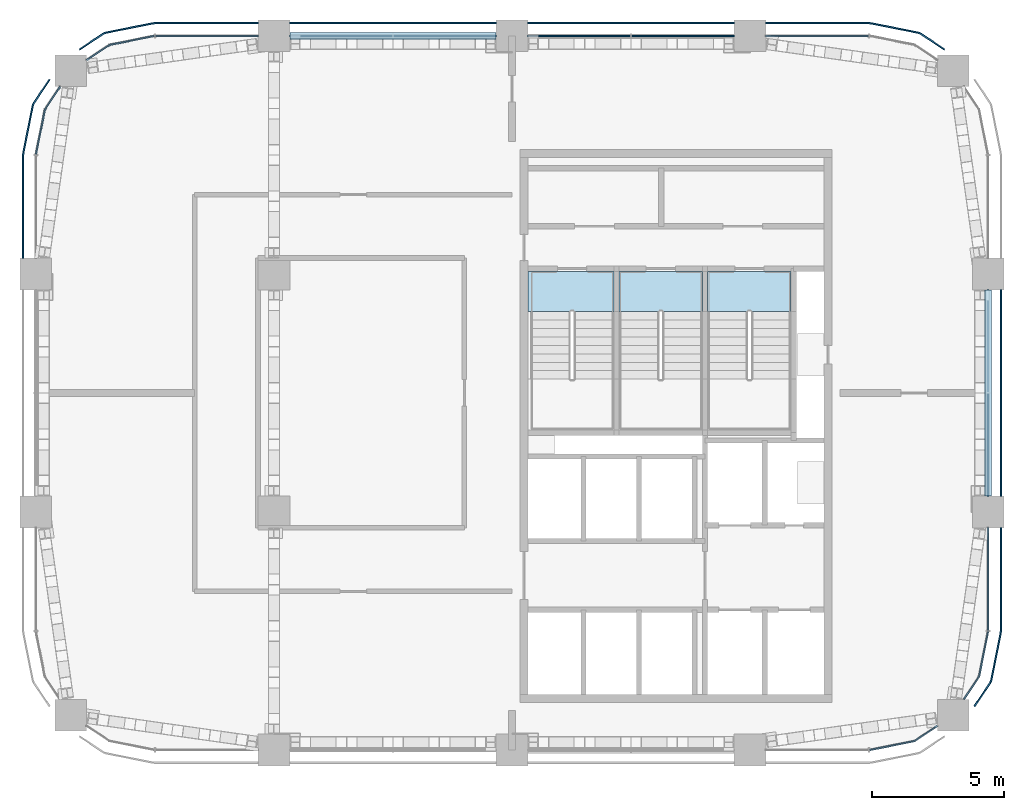
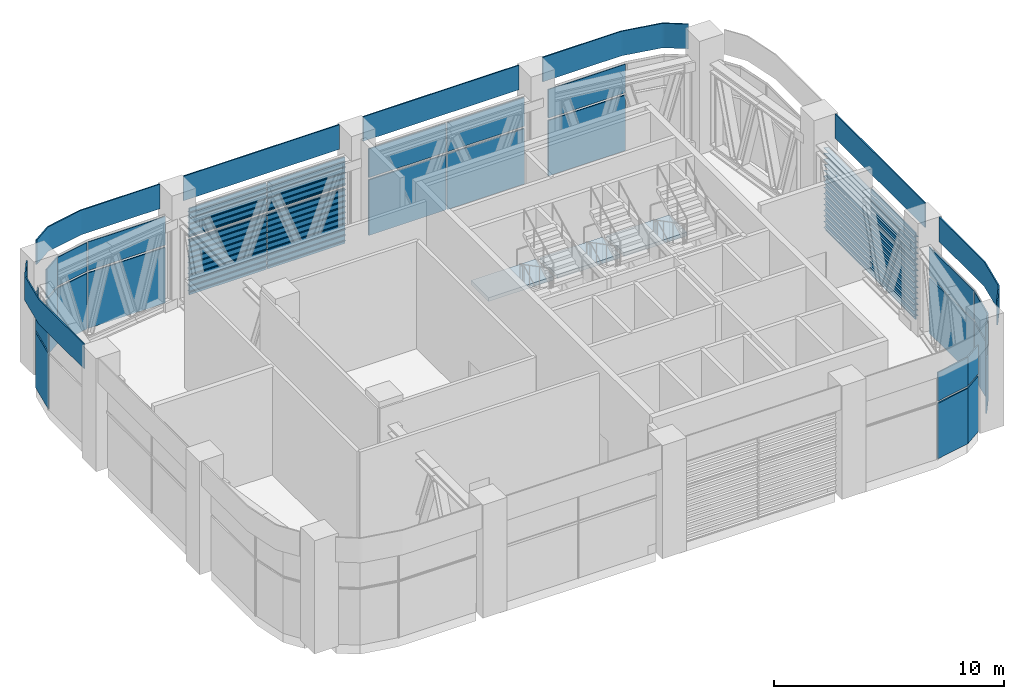
# One storey, part 7 of 14: 62 plates, 3 slabs, 11 elements without a shape of their own.
"""IFC4 building model written with IfcOpenShell, lengths in metres."""

from ifc_helpers import new_model, si_unit, direction, frame, origin, origin_2d, place, context, subcontext, project, spatial, polyline, rectangle, outline, extrude, material, layer, layer_set, type_object, element, aggregate, save


model = new_model("IFC4")

# Units and contexts
model_context = context("Model", 3, precision=1e-05, world=origin(), true_north=direction((0.0, 1.0)))
body_context = subcontext(model_context, "Body", "Model", "MODEL_VIEW")
ifc_project = project(units=[si_unit("LENGTHUNIT", "METRE"), si_unit("AREAUNIT", "SQUARE_METRE"), si_unit("VOLUMEUNIT", "CUBIC_METRE"), si_unit("PLANEANGLEUNIT", "RADIAN"), si_unit("MASSUNIT", "GRAM", prefix="KILO")], contexts=[model_context])

# Site, building, storey
site_placement = place(None, origin())
site = spatial("IfcSite", under=ifc_project, at=site_placement, CompositionType="ELEMENT")
building_placement = place(site_placement, origin())
building = spatial("IfcBuilding", under=site, at=building_placement, Name="Tessera Arch", CompositionType="ELEMENT")
storey_placement = place(building_placement, frame((0.0, 0.0, 295.199951171875)))
storey = spatial("IfcBuildingStorey", under=building, at=storey_placement, Name="L71", CompositionType="ELEMENT", Elevation=295.199951171875)

# Curtain wall, plates
ifc_material_1 = material(Name="CW7 curtain wall")
curtain_wall_type = type_object("IfcCurtainWallType", Name="CW7 curtain wall", PredefinedType="NOTDEFINED", material=ifc_material_1)
curtain_wall_1_placement = place(storey_placement, origin())
curtain_wall_1 = element("IfcCurtainWall", 1, at=curtain_wall_1_placement, inside=storey, type_object=curtain_wall_type, Name="CW7 curtain wall E54.27/0 L71", PredefinedType="NOTDEFINED")
ifc_material_2 = material(Name="Pale anodised aluminium panel", Category="aluminium")
ifc_layer_1 = layer(ifc_material_2, 0.06005859375)
ifc_layer_set_1 = layer_set([ifc_layer_1], Name="CW7 plant wall panel")
plate_type_1 = type_object("IfcPlateType", Name="CW7 plant wall panel", PredefinedType="CURTAIN_PANEL", material=ifc_layer_set_1)
plate_1_placement = place(storey_placement, frame((54.0, 38.534912109375, 0.0), z_axis=(0.0, 0.0, 1.0), x_axis=(0.0, 1.0, 0.0)))
plate_1 = element("IfcPlate", 2, at=plate_1_placement, type_object=plate_type_1, Name="CW7 plant wall panel E54.27/0 1.1.1", PredefinedType="CURTAIN_PANEL", context=body_context, shape_type="SweptSolid", body=[
    extrude(rectangle(XDim=3.8701171875, YDim=0.06005859375, at=origin_2d()), origin(), (0.0, 0.0, 1.0), 2.93994140625),
])
plate_2_placement = place(storey_placement, frame((54.0, 38.534912109375, 3.06005859375), z_axis=(0.0, 0.0, 1.0), x_axis=(0.0, 1.0, 0.0)))
plate_2 = element("IfcPlate", 3, at=plate_2_placement, type_object=plate_type_1, Name="CW7 plant wall panel E54.27/0 1.1.2", PredefinedType="CURTAIN_PANEL", context=body_context, shape_type="SweptSolid", body=[
    extrude(rectangle(XDim=3.8701171875, YDim=0.06005859375, at=origin_2d()), origin(), (0.0, 0.0, 1.0), 1.52001953125),
])
plate_3_placement = place(storey_placement, frame((54.0, 42.465087890625, 0.0), z_axis=(0.0, 0.0, 1.0), x_axis=(0.0, 1.0, 0.0)))
plate_3 = element("IfcPlate", 4, at=plate_3_placement, type_object=plate_type_1, Name="CW7 plant wall panel E54.27/0 1.2.1", PredefinedType="CURTAIN_PANEL", context=body_context, shape_type="SweptSolid", body=[
    extrude(rectangle(XDim=3.8701171875, YDim=0.06005859375, at=origin_2d()), origin(), (0.0, 0.0, 1.0), 2.93994140625),
])

curtain_wall_2_placement = place(storey_placement, origin())
curtain_wall_2 = element("IfcCurtainWall", 5, at=curtain_wall_2_placement, inside=storey, type_object=curtain_wall_type, Name="CW7 curtain wall N54.18/0 L71", PredefinedType="NOTDEFINED")
plate_4_placement = place(storey_placement, frame((47.534912109375, 54.0, 0.0), z_axis=(0.0, 0.0, 1.0), x_axis=(-1.0, 0.0, 0.0)))
plate_4 = element("IfcPlate", 6, at=plate_4_placement, type_object=plate_type_1, Name="CW7 plant wall panel N54.18/0 1.1", PredefinedType="CURTAIN_PANEL", context=body_context, shape_type="SweptSolid", body=[
    extrude(rectangle(XDim=3.8701171875, YDim=0.06005859375, at=origin_2d()), origin(), (0.0, 0.0, 1.0), 2.93994140625),
])
plate_5_placement = place(storey_placement, frame((47.534912109375, 54.0, 3.06005859375), z_axis=(0.0, 0.0, 1.0), x_axis=(-1.0, 0.0, 0.0)))
plate_5 = element("IfcPlate", 7, at=plate_5_placement, type_object=plate_type_1, Name="CW7 plant wall panel N54.18/0 1.2", PredefinedType="CURTAIN_PANEL", context=body_context, shape_type="SweptSolid", body=[
    extrude(rectangle(XDim=3.8701171875, YDim=0.06005859375, at=origin_2d()), origin(), (0.0, 0.0, 1.0), 1.52001953125),
])

curtain_wall_3_placement = place(storey_placement, origin())
curtain_wall_3 = element("IfcCurtainWall", 8, at=curtain_wall_3_placement, inside=storey, type_object=curtain_wall_type, Name="CW7 curtain wall N54.18/1 L71", PredefinedType="NOTDEFINED")
plate_6_placement = place(storey_placement, frame((42.465087890625, 54.0, 0.0), z_axis=(0.0, 0.0, 1.0), x_axis=(-1.0, 0.0, 0.0)))
plate_6 = element("IfcPlate", 9, at=plate_6_placement, type_object=plate_type_1, Name="CW7 plant wall panel N54.18/1 1.1.1", PredefinedType="CURTAIN_PANEL", context=body_context, shape_type="SweptSolid", body=[
    extrude(rectangle(XDim=3.8701171875, YDim=0.06005859375, at=origin_2d()), origin(), (0.0, 0.0, 1.0), 2.93994140625),
])
plate_7_placement = place(storey_placement, frame((42.465087890625, 54.0, 3.06005859375), z_axis=(0.0, 0.0, 1.0), x_axis=(-1.0, 0.0, 0.0)))
plate_7 = element("IfcPlate", 10, at=plate_7_placement, type_object=plate_type_1, Name="CW7 plant wall panel N54.18/1 1.1.2", PredefinedType="CURTAIN_PANEL", context=body_context, shape_type="SweptSolid", body=[
    extrude(rectangle(XDim=3.8701171875, YDim=0.06005859375, at=origin_2d()), origin(), (0.0, 0.0, 1.0), 1.52001953125),
])
plate_8_placement = place(storey_placement, frame((38.534912109375, 54.0, 0.0), z_axis=(0.0, 0.0, 1.0), x_axis=(-1.0, 0.0, 0.0)))
plate_8 = element("IfcPlate", 11, at=plate_8_placement, type_object=plate_type_1, Name="CW7 plant wall panel N54.18/1 1.2.1", PredefinedType="CURTAIN_PANEL", context=body_context, shape_type="SweptSolid", body=[
    extrude(rectangle(XDim=3.8701171875, YDim=0.06005859375, at=origin_2d()), origin(), (0.0, 0.0, 1.0), 2.93994140625),
])
plate_9_placement = place(storey_placement, frame((38.534912109375, 54.0, 3.06005859375), z_axis=(0.0, 0.0, 1.0), x_axis=(-1.0, 0.0, 0.0)))
plate_9 = element("IfcPlate", 12, at=plate_9_placement, type_object=plate_type_1, Name="CW7 plant wall panel N54.18/1 1.2.2", PredefinedType="CURTAIN_PANEL", context=body_context, shape_type="SweptSolid", body=[
    extrude(rectangle(XDim=3.8701171875, YDim=0.06005859375, at=origin_2d()), origin(), (0.0, 0.0, 1.0), 1.52001953125),
])

curtain_wall_4_placement = place(storey_placement, origin())
curtain_wall_4 = element("IfcCurtainWall", 13, at=curtain_wall_4_placement, inside=storey, type_object=curtain_wall_type, Name="CW7 curtain wall N54.18/2 L71", PredefinedType="NOTDEFINED")
plate_10_placement = place(storey_placement, frame((33.465087890625, 54.0, 0.0), z_axis=(0.0, 0.0, 1.0), x_axis=(-1.0, 0.0, 0.0)))
plate_10 = element("IfcPlate", 14, at=plate_10_placement, type_object=plate_type_1, Name="CW7 plant wall panel N54.18/2 1.1.1", PredefinedType="CURTAIN_PANEL", context=body_context, shape_type="SweptSolid", body=[
    extrude(rectangle(XDim=3.8701171875, YDim=0.06005859375, at=origin_2d()), origin(), (0.0, 0.0, 1.0), 2.93994140625),
])
plate_11_placement = place(storey_placement, frame((33.465087890625, 54.0, 3.06005859375), z_axis=(0.0, 0.0, 1.0), x_axis=(-1.0, 0.0, 0.0)))
plate_11 = element("IfcPlate", 15, at=plate_11_placement, type_object=plate_type_1, Name="CW7 plant wall panel N54.18/2 1.1.2", PredefinedType="CURTAIN_PANEL", context=body_context, shape_type="SweptSolid", body=[
    extrude(rectangle(XDim=3.8701171875, YDim=0.06005859375, at=origin_2d()), origin(), (0.0, 0.0, 1.0), 1.52001953125),
])
plate_12_placement = place(storey_placement, frame((29.534912109375, 54.0, 0.0), z_axis=(0.0, 0.0, 1.0), x_axis=(-1.0, 0.0, 0.0)))
plate_12 = element("IfcPlate", 16, at=plate_12_placement, type_object=plate_type_1, Name="CW7 plant wall panel N54.18/2 1.2.1", PredefinedType="CURTAIN_PANEL", context=body_context, shape_type="SweptSolid", body=[
    extrude(rectangle(XDim=3.8701171875, YDim=0.06005859375, at=origin_2d()), origin(), (0.0, 0.0, 1.0), 2.93994140625),
])
plate_13_placement = place(storey_placement, frame((29.534912109375, 54.0, 3.06005859375), z_axis=(0.0, 0.0, 1.0), x_axis=(-1.0, 0.0, 0.0)))
plate_13 = element("IfcPlate", 17, at=plate_13_placement, type_object=plate_type_1, Name="CW7 plant wall panel N54.18/2 1.2.2", PredefinedType="CURTAIN_PANEL", context=body_context, shape_type="SweptSolid", body=[
    extrude(rectangle(XDim=3.8701171875, YDim=0.06005859375, at=origin_2d()), origin(), (0.0, 0.0, 1.0), 1.52001953125),
])

curtain_wall_5_placement = place(storey_placement, origin())
curtain_wall_5 = element("IfcCurtainWall", 18, at=curtain_wall_5_placement, inside=storey, type_object=curtain_wall_type, Name="CW7 curtain wall N54.18/3 L71", PredefinedType="NOTDEFINED")
plate_14_placement = place(storey_placement, frame((24.465087890625, 54.0, 0.0), z_axis=(0.0, 0.0, 1.0), x_axis=(-1.0, 0.0, 0.0)))
plate_14 = element("IfcPlate", 19, at=plate_14_placement, type_object=plate_type_1, Name="CW7 plant wall panel N54.18/3 1.1", PredefinedType="CURTAIN_PANEL", context=body_context, shape_type="SweptSolid", body=[
    extrude(rectangle(XDim=3.8701171875, YDim=0.06005859375, at=origin_2d()), origin(), (0.0, 0.0, 1.0), 2.93994140625),
])
plate_15_placement = place(storey_placement, origin())
plate_15 = element("IfcPlate", 20, at=plate_15_placement, type_object=plate_type_1, Name="CW7 curved plant wall panel N54.18/3 2.1", PredefinedType="CURTAIN_PANEL", context=body_context, shape_type="SweptSolid", body=[
    extrude(outline(polyline([(20.78955078125, 53.629150390625), (22.476318359375, 53.96484375), (22.46484375, 54.023681640625), (20.76611328125, 53.685791015625), (19.9013671875, 53.10791015625), (19.9345703125, 53.057861328125), (20.78955078125, 53.629150390625)])), origin(), (0.0, 0.0, 1.0), 2.93994140625),
])
plate_16_placement = place(storey_placement, frame((24.465087890625, 54.0, 3.06005859375), z_axis=(0.0, 0.0, 1.0), x_axis=(-1.0, 0.0, 0.0)))
plate_16 = element("IfcPlate", 21, at=plate_16_placement, type_object=plate_type_1, Name="CW7 plant wall panel N54.18/3 1.2", PredefinedType="CURTAIN_PANEL", context=body_context, shape_type="SweptSolid", body=[
    extrude(rectangle(XDim=3.8701171875, YDim=0.06005859375, at=origin_2d()), origin(), (0.0, 0.0, 1.0), 1.52001953125),
])
plate_17_placement = place(storey_placement, frame((0.0, 0.0, 3.06005859375)))
plate_17 = element("IfcPlate", 22, at=plate_17_placement, type_object=plate_type_1, Name="CW7 curved plant wall panel N54.18/3 2.2", PredefinedType="CURTAIN_PANEL", context=body_context, shape_type="SweptSolid", body=[
    extrude(outline(polyline([(20.78955078125, 53.629150390625), (22.476318359375, 53.96484375), (22.46484375, 54.023681640625), (20.76611328125, 53.685791015625), (19.9013671875, 53.10791015625), (19.9345703125, 53.057861328125), (20.78955078125, 53.629150390625)])), origin(), (0.0, 0.0, 1.0), 1.52001953125),
])

curtain_wall_6_placement = place(storey_placement, origin())
curtain_wall_6 = element("IfcCurtainWall", 23, at=curtain_wall_6_placement, inside=storey, type_object=curtain_wall_type, Name="CW7 curtain wall W18.27/0 L71", PredefinedType="NOTDEFINED")
plate_18_placement = place(storey_placement, origin())
plate_18 = element("IfcPlate", 24, at=plate_18_placement, type_object=plate_type_1, Name="CW7 curved plant wall panel W18.27/0 2.1", PredefinedType="CURTAIN_PANEL", context=body_context, shape_type="SweptSolid", body=[
    extrude(outline(polyline([(18.370849609375, 51.21044921875), (18.942138671875, 52.0654296875), (18.89208984375, 52.0986328125), (18.314208984375, 51.23388671875), (17.976318359375, 49.53515625), (18.03515625, 49.523681640625), (18.370849609375, 51.21044921875)])), origin(), (0.0, 0.0, 1.0), 2.93994140625),
])
plate_19_placement = place(storey_placement, frame((0.0, 0.0, 3.06005859375)))
plate_19 = element("IfcPlate", 25, at=plate_19_placement, type_object=plate_type_1, Name="CW7 curved plant wall panel W18.27/0 2.2", PredefinedType="CURTAIN_PANEL", context=body_context, shape_type="SweptSolid", body=[
    extrude(outline(polyline([(18.370849609375, 51.21044921875), (18.942138671875, 52.0654296875), (18.89208984375, 52.0986328125), (18.314208984375, 51.23388671875), (17.976318359375, 49.53515625), (18.03515625, 49.523681640625), (18.370849609375, 51.21044921875)])), origin(), (0.0, 0.0, 1.0), 1.52001953125),
])

curtain_wall_7_placement = place(storey_placement, origin())
curtain_wall_7 = element("IfcCurtainWall", 26, at=curtain_wall_7_placement, inside=storey, type_object=curtain_wall_type, Name="CW7 curtain wall S27.18/3 L71", PredefinedType="NOTDEFINED")
plate_20_placement = place(storey_placement, origin())
plate_20 = element("IfcPlate", 27, at=plate_20_placement, type_object=plate_type_1, Name="CW7 curved plant wall panel S27.18/3 2.1", PredefinedType="CURTAIN_PANEL", context=body_context, shape_type="SweptSolid", body=[
    extrude(outline(polyline([(51.21044921875, 27.370849609375), (49.523681640625, 27.03515625), (49.53515625, 26.976318359375), (51.23388671875, 27.314208984375), (52.0986328125, 27.89208984375), (52.0654296875, 27.942138671875), (51.21044921875, 27.370849609375)])), origin(), (0.0, 0.0, 1.0), 2.93994140625),
])
plate_21_placement = place(storey_placement, frame((0.0, 0.0, 3.06005859375)))
plate_21 = element("IfcPlate", 28, at=plate_21_placement, type_object=plate_type_1, Name="CW7 curved plant wall panel S27.18/3 2.2", PredefinedType="CURTAIN_PANEL", context=body_context, shape_type="SweptSolid", body=[
    extrude(outline(polyline([(51.21044921875, 27.370849609375), (49.523681640625, 27.03515625), (49.53515625, 26.976318359375), (51.23388671875, 27.314208984375), (52.0986328125, 27.89208984375), (52.0654296875, 27.942138671875), (51.21044921875, 27.370849609375)])), origin(), (0.0, 0.0, 1.0), 1.52001953125),
])
aggregate(curtain_wall_7, [plate_20, plate_21])

curtain_wall_8_placement = place(storey_placement, origin())
curtain_wall_8 = element("IfcCurtainWall", 29, at=curtain_wall_8_placement, inside=storey, type_object=curtain_wall_type, Name="CW7 curtain wall E54.27/2 L71", PredefinedType="NOTDEFINED")
plate_22_placement = place(storey_placement, frame((54.0, 33.465087890625, 0.0), z_axis=(0.0, 0.0, 1.0), x_axis=(0.0, 1.0, 0.0)))
plate_22 = element("IfcPlate", 30, at=plate_22_placement, type_object=plate_type_1, Name="CW7 plant wall panel E54.27/2 1.1", PredefinedType="CURTAIN_PANEL", context=body_context, shape_type="SweptSolid", body=[
    extrude(rectangle(XDim=3.8701171875, YDim=0.06005859375, at=origin_2d()), origin(), (0.0, 0.0, 1.0), 2.93994140625),
])
plate_23_placement = place(storey_placement, origin())
plate_23 = element("IfcPlate", 31, at=plate_23_placement, type_object=plate_type_1, Name="CW7 curved plant wall panel E54.27/2 2.1", PredefinedType="CURTAIN_PANEL", context=body_context, shape_type="SweptSolid", body=[
    extrude(outline(polyline([(53.629150390625, 29.78955078125), (53.057861328125, 28.9345703125), (53.10791015625, 28.9013671875), (53.685791015625, 29.76611328125), (54.023681640625, 31.46484375), (53.96484375, 31.476318359375), (53.629150390625, 29.78955078125)])), origin(), (0.0, 0.0, 1.0), 2.93994140625),
])
plate_24_placement = place(storey_placement, frame((54.0, 33.465087890625, 3.06005859375), z_axis=(0.0, 0.0, 1.0), x_axis=(0.0, 1.0, 0.0)))
plate_24 = element("IfcPlate", 32, at=plate_24_placement, type_object=plate_type_1, Name="CW7 plant wall panel E54.27/2 1.2", PredefinedType="CURTAIN_PANEL", context=body_context, shape_type="SweptSolid", body=[
    extrude(rectangle(XDim=3.8701171875, YDim=0.06005859375, at=origin_2d()), origin(), (0.0, 0.0, 1.0), 1.52001953125),
])
plate_25_placement = place(storey_placement, frame((0.0, 0.0, 3.06005859375)))
plate_25 = element("IfcPlate", 33, at=plate_25_placement, type_object=plate_type_1, Name="CW7 curved plant wall panel E54.27/2 2.2", PredefinedType="CURTAIN_PANEL", context=body_context, shape_type="SweptSolid", body=[
    extrude(outline(polyline([(53.629150390625, 29.78955078125), (53.057861328125, 28.9345703125), (53.10791015625, 28.9013671875), (53.685791015625, 29.76611328125), (54.023681640625, 31.46484375), (53.96484375, 31.476318359375), (53.629150390625, 29.78955078125)])), origin(), (0.0, 0.0, 1.0), 1.52001953125),
])

# Plate
ifc_material_3 = material(Name="Pale anodised aluminium panel", Category="aluminium")
ifc_layer_2 = layer(ifc_material_3, 0.06005859375)
ifc_layer_set_2 = layer_set([ifc_layer_2], Name="CW7 spandrel panel")
plate_type_2 = type_object("IfcPlateType", Name="CW7 spandrel panel", PredefinedType="CURTAIN_PANEL", material=ifc_layer_set_2)
plate_26_placement = place(storey_placement, frame((54.47998046875, 40.5, 4.7001953125), z_axis=(0.0, 0.0, 1.0), x_axis=(0.0, 1.0, 0.0)))
plate_26 = element("IfcPlate", 34, at=plate_26_placement, type_object=plate_type_2, Name="CW7 spandrel panel E54.27/0", PredefinedType="CURTAIN_PANEL", context=body_context, shape_type="SweptSolid", body=[
    extrude(rectangle(XDim=7.800048828125, YDim=0.06005859375, at=origin_2d()), origin(), (0.0, 0.0, 1.0), 1.300048828125),
])

aggregate(curtain_wall_1, [plate_1, plate_2, plate_3, plate_26])

plate_27_placement = place(storey_placement, frame((0.0, 0.0, 4.699951171875)))
plate_27 = element("IfcPlate", 35, at=plate_27_placement, type_object=plate_type_2, Name="CW7 spandrel panel N54.18/0", PredefinedType="CURTAIN_PANEL", context=body_context, shape_type="SweptSolid", body=[
    extrude(outline(polyline([(51.47265625, 54.03125), (52.33203125, 53.45703125), (52.365234375, 53.5068359375), (51.5048828125, 54.08203125), (51.462646484375, 54.107421875), (51.417236328125, 54.128662109375), (51.3701171875, 54.1455078125), (51.322265625, 54.157470703125), (49.598876953125, 54.500244140625), (49.550048828125, 54.507568359375), (49.500732421875, 54.510009765625), (45.60009765625, 54.510009765625), (45.60009765625, 54.449951171875), (49.499267578125, 54.449951171875), (49.544189453125, 54.44775390625), (49.588623046875, 54.441162109375), (51.30908203125, 54.09912109375), (51.352783203125, 54.088134765625), (51.394287109375, 54.0732421875), (51.434326171875, 54.054443359375), (51.47265625, 54.03125)])), origin(), (0.0, 0.0, 1.0), 1.300048828125),
])

aggregate(curtain_wall_2, [plate_4, plate_5, plate_27])

plate_28_placement = place(storey_placement, frame((40.5, 54.47998046875, 4.7001953125), z_axis=(0.0, 0.0, 1.0), x_axis=(-1.0, 0.0, 0.0)))
plate_28 = element("IfcPlate", 36, at=plate_28_placement, type_object=plate_type_2, Name="CW7 spandrel panel N54.18/1", PredefinedType="CURTAIN_PANEL", context=body_context, shape_type="SweptSolid", body=[
    extrude(rectangle(XDim=7.800048828125, YDim=0.06005859375, at=origin_2d()), origin(), (0.0, 0.0, 1.0), 1.300048828125),
])

aggregate(curtain_wall_3, [plate_6, plate_7, plate_8, plate_9, plate_28])

plate_29_placement = place(storey_placement, frame((31.5, 54.47998046875, 4.7001953125), z_axis=(0.0, 0.0, 1.0), x_axis=(-1.0, 0.0, 0.0)))
plate_29 = element("IfcPlate", 37, at=plate_29_placement, type_object=plate_type_2, Name="CW7 spandrel panel N54.18/2", PredefinedType="CURTAIN_PANEL", context=body_context, shape_type="SweptSolid", body=[
    extrude(rectangle(XDim=7.800048828125, YDim=0.06005859375, at=origin_2d()), origin(), (0.0, 0.0, 1.0), 1.300048828125),
])

aggregate(curtain_wall_4, [plate_10, plate_11, plate_12, plate_13, plate_29])

plate_30_placement = place(storey_placement, frame((0.0, 0.0, 4.699951171875)))
plate_30 = element("IfcPlate", 38, at=plate_30_placement, type_object=plate_type_2, Name="CW7 spandrel panel N54.18/3", PredefinedType="CURTAIN_PANEL", context=body_context, shape_type="SweptSolid", body=[
    extrude(outline(polyline([(22.500732421875, 54.449951171875), (26.39990234375, 54.449951171875), (26.39990234375, 54.510009765625), (22.499267578125, 54.510009765625), (22.449951171875, 54.507568359375), (22.401123046875, 54.500244140625), (20.677734375, 54.157470703125), (20.6298828125, 54.1455078125), (20.582763671875, 54.128662109375), (20.537353515625, 54.107421875), (20.4951171875, 54.08203125), (19.634765625, 53.5068359375), (19.66796875, 53.45703125), (20.52734375, 54.03125), (20.565673828125, 54.054443359375), (20.605712890625, 54.0732421875), (20.647216796875, 54.088134765625), (20.69091796875, 54.09912109375), (22.411376953125, 54.441162109375), (22.455810546875, 54.44775390625), (22.500732421875, 54.449951171875)])), origin(), (0.0, 0.0, 1.0), 1.300048828125),
])

aggregate(curtain_wall_5, [plate_14, plate_15, plate_16, plate_17, plate_30])

plate_31_placement = place(storey_placement, frame((0.0, 0.0, 4.699951171875)))
plate_31 = element("IfcPlate", 39, at=plate_31_placement, type_object=plate_type_2, Name="CW7 spandrel panel W18.27/0", PredefinedType="CURTAIN_PANEL", context=body_context, shape_type="SweptSolid", body=[
    extrude(outline(polyline([(17.96875, 51.47265625), (18.54296875, 52.33203125), (18.4931640625, 52.365234375), (17.91796875, 51.5048828125), (17.892578125, 51.462646484375), (17.871337890625, 51.417236328125), (17.8544921875, 51.3701171875), (17.842529296875, 51.322265625), (17.499755859375, 49.598876953125), (17.492431640625, 49.550048828125), (17.489990234375, 49.500732421875), (17.489990234375, 45.60009765625), (17.550048828125, 45.60009765625), (17.550048828125, 49.499267578125), (17.55224609375, 49.544189453125), (17.558837890625, 49.588623046875), (17.90087890625, 51.30908203125), (17.911865234375, 51.352783203125), (17.9267578125, 51.394287109375), (17.945556640625, 51.434326171875), (17.96875, 51.47265625)])), origin(), (0.0, 0.0, 1.0), 1.300048828125),
])

aggregate(curtain_wall_6, [plate_18, plate_19, plate_31])

plate_32_placement = place(storey_placement, frame((0.0, 0.0, 4.699951171875)))
plate_32 = element("IfcPlate", 40, at=plate_32_placement, type_object=plate_type_2, Name="CW7 spandrel panel E54.27/2", PredefinedType="CURTAIN_PANEL", context=body_context, shape_type="SweptSolid", body=[
    extrude(outline(polyline([(54.03125, 29.52734375), (53.45703125, 28.66796875), (53.5068359375, 28.634765625), (54.08203125, 29.4951171875), (54.107421875, 29.537353515625), (54.128662109375, 29.582763671875), (54.1455078125, 29.6298828125), (54.157470703125, 29.677734375), (54.500244140625, 31.401123046875), (54.507568359375, 31.449951171875), (54.510009765625, 31.499267578125), (54.510009765625, 35.39990234375), (54.449951171875, 35.39990234375), (54.449951171875, 31.500732421875), (54.44775390625, 31.455810546875), (54.441162109375, 31.411376953125), (54.09912109375, 29.69091796875), (54.088134765625, 29.647216796875), (54.0732421875, 29.605712890625), (54.054443359375, 29.565673828125), (54.03125, 29.52734375)])), origin(), (0.0, 0.0, 1.0), 1.300048828125),
])

aggregate(curtain_wall_8, [plate_22, plate_23, plate_24, plate_25, plate_32])

# Plates
ifc_material_4 = material(Name="Aluminium louvre pale metal anodised", Category="aluminium")
ifc_layer_3 = layer(ifc_material_4, 0.02001953125)
ifc_layer_set_3 = layer_set([ifc_layer_3], Name="Plant louvre blade")
plate_type_3 = type_object("IfcPlateType", Name="Plant louvre blade", PredefinedType="USERDEFINED", material=ifc_layer_set_3)
plate_33_placement = place(storey_placement, frame((54.125, 36.60009765625, 0.150146484375), z_axis=(0.269001893813, 0.0, 0.963139647779), x_axis=(0.0, 1.0, 0.0)))
element("IfcPlate", 41, at=plate_33_placement, inside=storey, type_object=plate_type_3, Name="Louvre blade E54.27/0 1", ObjectType="LOUVER", PredefinedType="USERDEFINED", context=body_context, shape_type="SweptSolid", body=[
    extrude(outline(polyline([(0.0, 0.0), (7.7998046875, 0.0), (7.7998046875, 0.25956775902266416), (0.0, 0.25956775902266416), (0.0, 0.0)])), origin(), (0.0, 0.0, -1.0), 0.02001953125),
])
for number, where, z_axis, x_axis, name in (
    (42, (54.125, 36.60009765625, 0.449951171875), (0.269874067237, 0.0, 0.962895626656), (0.0, 1.0, 0.0), "Louvre blade E54.27/0 2"),
    (43, (54.125, 36.60009765625, 0.75), (0.269874067237, 0.0, 0.962895626656), (0.0, 1.0, 0.0), "Louvre blade E54.27/0 3"),
    (44, (54.125, 36.60009765625, 1.050048828125), (0.269874067237, 0.0, 0.962895626656), (0.0, 1.0, 0.0), "Louvre blade E54.27/0 4"),
    (45, (54.125, 36.60009765625, 1.35009765625), (0.269874067237, 0.0, 0.962895626656), (0.0, 1.0, 0.0), "Louvre blade E54.27/0 5"),
):
    element("IfcPlate", number, at=place(storey_placement, frame(where, z_axis=z_axis, x_axis=x_axis)), inside=storey, type_object=plate_type_3, Name=name, ObjectType="LOUVER", PredefinedType="USERDEFINED", context=body_context, shape_type="SweptSolid", body=[
        extrude(outline(polyline([(0.0, 0.0), (7.7998046875, 0.0), (7.7998046875, 0.25963353979311715), (0.0, 0.25963353979311715), (0.0, 0.0)])), origin(), (0.0, 0.0, -1.0), 0.02001953125),
    ])
plate_34_placement = place(storey_placement, frame((54.125, 36.60009765625, 1.650146484375), z_axis=(0.269001893813, 0.0, 0.963139647779), x_axis=(0.0, 1.0, 0.0)))
element("IfcPlate", 46, at=plate_34_placement, inside=storey, type_object=plate_type_3, Name="Louvre blade E54.27/0 6", ObjectType="LOUVER", PredefinedType="USERDEFINED", context=body_context, shape_type="SweptSolid", body=[
    extrude(outline(polyline([(0.0, 0.0), (7.7998046875, 0.0), (7.7998046875, 0.25956775902266416), (0.0, 0.25956775902266416), (0.0, 0.0)])), origin(), (0.0, 0.0, -1.0), 0.02001953125),
])
for number, where, z_axis, x_axis, name in (
    (47, (54.125, 36.60009765625, 1.949951171875), (0.269874067237, 0.0, 0.962895626656), (0.0, 1.0, 0.0), "Louvre blade E54.27/0 7"),
    (48, (54.125, 36.60009765625, 2.25), (0.269874067237, 0.0, 0.962895626656), (0.0, 1.0, 0.0), "Louvre blade E54.27/0 8"),
    (49, (54.125, 36.60009765625, 2.550048828125), (0.269874067237, 0.0, 0.962895626656), (0.0, 1.0, 0.0), "Louvre blade E54.27/0 9"),
    (50, (54.125, 36.60009765625, 2.85009765625), (0.269874067237, 0.0, 0.962895626656), (0.0, 1.0, 0.0), "Louvre blade E54.27/0 10"),
):
    element("IfcPlate", number, at=place(storey_placement, frame(where, z_axis=z_axis, x_axis=x_axis)), inside=storey, type_object=plate_type_3, Name=name, ObjectType="LOUVER", PredefinedType="USERDEFINED", context=body_context, shape_type="SweptSolid", body=[
        extrude(outline(polyline([(0.0, 0.0), (7.7998046875, 0.0), (7.7998046875, 0.25963353979311715), (0.0, 0.25963353979311715), (0.0, 0.0)])), origin(), (0.0, 0.0, -1.0), 0.02001953125),
    ])
plate_35_placement = place(storey_placement, frame((54.125, 36.60009765625, 3.150146484375), z_axis=(0.269001893813, 0.0, 0.963139647779), x_axis=(0.0, 1.0, 0.0)))
element("IfcPlate", 51, at=plate_35_placement, inside=storey, type_object=plate_type_3, Name="Louvre blade E54.27/0 11", ObjectType="LOUVER", PredefinedType="USERDEFINED", context=body_context, shape_type="SweptSolid", body=[
    extrude(outline(polyline([(0.0, 0.0), (7.7998046875, 0.0), (7.7998046875, 0.25956775902266416), (0.0, 0.25956775902266416), (0.0, 0.0)])), origin(), (0.0, 0.0, -1.0), 0.02001953125),
])
for number, where, z_axis, x_axis, name in (
    (52, (54.125, 36.60009765625, 3.449951171875), (0.269874067237, 0.0, 0.962895626656), (0.0, 1.0, 0.0), "Louvre blade E54.27/0 12"),
    (53, (54.125, 36.60009765625, 3.75), (0.269874067237, 0.0, 0.962895626656), (0.0, 1.0, 0.0), "Louvre blade E54.27/0 13"),
    (54, (54.125, 36.60009765625, 4.050048828125), (0.269874067237, 0.0, 0.962895626656), (0.0, 1.0, 0.0), "Louvre blade E54.27/0 14"),
    (55, (54.125, 36.60009765625, 4.35009765625), (0.269874067237, 0.0, 0.962895626656), (0.0, 1.0, 0.0), "Louvre blade E54.27/0 15"),
):
    element("IfcPlate", number, at=place(storey_placement, frame(where, z_axis=z_axis, x_axis=x_axis)), inside=storey, type_object=plate_type_3, Name=name, ObjectType="LOUVER", PredefinedType="USERDEFINED", context=body_context, shape_type="SweptSolid", body=[
        extrude(outline(polyline([(0.0, 0.0), (7.7998046875, 0.0), (7.7998046875, 0.25963353979311715), (0.0, 0.25963353979311715), (0.0, 0.0)])), origin(), (0.0, 0.0, -1.0), 0.02001953125),
    ])
plate_36_placement = place(storey_placement, frame((35.39990234375, 54.125, 0.150146484375), z_axis=(0.0, 0.269001893813, 0.963139647779), x_axis=(-1.0, 0.0, 0.0)))
element("IfcPlate", 56, at=plate_36_placement, inside=storey, type_object=plate_type_3, Name="Louvre blade N54.18/2 1", ObjectType="LOUVER", PredefinedType="USERDEFINED", context=body_context, shape_type="SweptSolid", body=[
    extrude(outline(polyline([(0.0, 0.0), (7.7998046875, 0.0), (7.7998046875, 0.25956775902266416), (0.0, 0.25956775902266416), (0.0, 0.0)])), origin(), (0.0, 0.0, -1.0), 0.02001953125),
])
for number, where, z_axis, x_axis, name in (
    (57, (35.39990234375, 54.125, 0.449951171875), (0.0, 0.269874067237, 0.962895626656), (-1.0, 0.0, 0.0), "Louvre blade N54.18/2 2"),
    (58, (35.39990234375, 54.125, 0.75), (0.0, 0.269874067237, 0.962895626656), (-1.0, 0.0, 0.0), "Louvre blade N54.18/2 3"),
    (59, (35.39990234375, 54.125, 1.050048828125), (0.0, 0.269874067237, 0.962895626656), (-1.0, 0.0, 0.0), "Louvre blade N54.18/2 4"),
    (60, (35.39990234375, 54.125, 1.35009765625), (0.0, 0.269874067237, 0.962895626656), (-1.0, 0.0, 0.0), "Louvre blade N54.18/2 5"),
):
    element("IfcPlate", number, at=place(storey_placement, frame(where, z_axis=z_axis, x_axis=x_axis)), inside=storey, type_object=plate_type_3, Name=name, ObjectType="LOUVER", PredefinedType="USERDEFINED", context=body_context, shape_type="SweptSolid", body=[
        extrude(outline(polyline([(0.0, 0.0), (7.7998046875, 0.0), (7.7998046875, 0.25963353979311715), (0.0, 0.25963353979311715), (0.0, 0.0)])), origin(), (0.0, 0.0, -1.0), 0.02001953125),
    ])
plate_37_placement = place(storey_placement, frame((35.39990234375, 54.125, 1.650146484375), z_axis=(0.0, 0.269001893813, 0.963139647779), x_axis=(-1.0, 0.0, 0.0)))
element("IfcPlate", 61, at=plate_37_placement, inside=storey, type_object=plate_type_3, Name="Louvre blade N54.18/2 6", ObjectType="LOUVER", PredefinedType="USERDEFINED", context=body_context, shape_type="SweptSolid", body=[
    extrude(outline(polyline([(0.0, 0.0), (7.7998046875, 0.0), (7.7998046875, 0.25956775902266416), (0.0, 0.25956775902266416), (0.0, 0.0)])), origin(), (0.0, 0.0, -1.0), 0.02001953125),
])
for number, where, z_axis, x_axis, name in (
    (62, (35.39990234375, 54.125, 1.949951171875), (0.0, 0.269874067237, 0.962895626656), (-1.0, 0.0, 0.0), "Louvre blade N54.18/2 7"),
    (63, (35.39990234375, 54.125, 2.25), (0.0, 0.269874067237, 0.962895626656), (-1.0, 0.0, 0.0), "Louvre blade N54.18/2 8"),
    (64, (35.39990234375, 54.125, 2.550048828125), (0.0, 0.269874067237, 0.962895626656), (-1.0, 0.0, 0.0), "Louvre blade N54.18/2 9"),
    (65, (35.39990234375, 54.125, 2.85009765625), (0.0, 0.269874067237, 0.962895626656), (-1.0, 0.0, 0.0), "Louvre blade N54.18/2 10"),
):
    element("IfcPlate", number, at=place(storey_placement, frame(where, z_axis=z_axis, x_axis=x_axis)), inside=storey, type_object=plate_type_3, Name=name, ObjectType="LOUVER", PredefinedType="USERDEFINED", context=body_context, shape_type="SweptSolid", body=[
        extrude(outline(polyline([(0.0, 0.0), (7.7998046875, 0.0), (7.7998046875, 0.25963353979311715), (0.0, 0.25963353979311715), (0.0, 0.0)])), origin(), (0.0, 0.0, -1.0), 0.02001953125),
    ])
plate_38_placement = place(storey_placement, frame((35.39990234375, 54.125, 3.150146484375), z_axis=(0.0, 0.269001893813, 0.963139647779), x_axis=(-1.0, 0.0, 0.0)))
element("IfcPlate", 66, at=plate_38_placement, inside=storey, type_object=plate_type_3, Name="Louvre blade N54.18/2 11", ObjectType="LOUVER", PredefinedType="USERDEFINED", context=body_context, shape_type="SweptSolid", body=[
    extrude(outline(polyline([(0.0, 0.0), (7.7998046875, 0.0), (7.7998046875, 0.25956775902266416), (0.0, 0.25956775902266416), (0.0, 0.0)])), origin(), (0.0, 0.0, -1.0), 0.02001953125),
])
for number, where, z_axis, x_axis, name in (
    (67, (35.39990234375, 54.125, 3.449951171875), (0.0, 0.269874067237, 0.962895626656), (-1.0, 0.0, 0.0), "Louvre blade N54.18/2 12"),
    (68, (35.39990234375, 54.125, 3.75), (0.0, 0.269874067237, 0.962895626656), (-1.0, 0.0, 0.0), "Louvre blade N54.18/2 13"),
    (69, (35.39990234375, 54.125, 4.050048828125), (0.0, 0.269874067237, 0.962895626656), (-1.0, 0.0, 0.0), "Louvre blade N54.18/2 14"),
    (70, (35.39990234375, 54.125, 4.35009765625), (0.0, 0.269874067237, 0.962895626656), (-1.0, 0.0, 0.0), "Louvre blade N54.18/2 15"),
):
    element("IfcPlate", number, at=place(storey_placement, frame(where, z_axis=z_axis, x_axis=x_axis)), inside=storey, type_object=plate_type_3, Name=name, ObjectType="LOUVER", PredefinedType="USERDEFINED", context=body_context, shape_type="SweptSolid", body=[
        extrude(outline(polyline([(0.0, 0.0), (7.7998046875, 0.0), (7.7998046875, 0.25963353979311715), (0.0, 0.25963353979311715), (0.0, 0.0)])), origin(), (0.0, 0.0, -1.0), 0.02001953125),
    ])

# Stair, slab
ifc_material_5 = material(Name="Concrete C40/50", Category="concrete")
stair_type = type_object("IfcStairType", Name="Dogleg stair 1520", PredefinedType="HALF_TURN_STAIR", material=ifc_material_5)
stair_1_placement = place(storey_placement, origin())
stair_1 = element("IfcStair", 71, at=stair_1_placement, inside=storey, type_object=stair_type, Name="L71 S1a", PredefinedType="HALF_TURN_STAIR")
ifc_material_6 = material(Name="Concrete C40/50", Category="concrete")
ifc_layer_4 = layer(ifc_material_6, 0.300048828125)
ifc_layer_set_4 = layer_set([ifc_layer_4], Name="Stair landing 300")
slab_type = type_object("IfcSlabType", Name="Stair landing 300", PredefinedType="LANDING", material=ifc_layer_set_4)
slab_1_placement = place(storey_placement, frame((0.0, 0.0, 2.800048828125)))
slab_1 = element("IfcSlab", 72, at=slab_1_placement, type_object=slab_type, Name="S1a landing 2", PredefinedType="LANDING", context=body_context, shape_type="SweptSolid", body=[
    extrude(outline(polyline([(36.60009765625, 45.10009765625), (36.60009765625, 43.580078125), (39.85009765625, 43.580078125), (39.85009765625, 45.10009765625), (36.60009765625, 45.10009765625)])), origin(), (0.0, 0.0, 1.0), 0.199951171875),
])
aggregate(stair_1, [slab_1])

stair_2_placement = place(storey_placement, origin())
stair_2 = element("IfcStair", 73, at=stair_2_placement, inside=storey, type_object=stair_type, Name="L71 S1b", PredefinedType="HALF_TURN_STAIR")
slab_2_placement = place(storey_placement, frame((0.0, 0.0, 2.800048828125)))
slab_2 = element("IfcSlab", 74, at=slab_2_placement, type_object=slab_type, Name="S1b landing 2", PredefinedType="LANDING", context=body_context, shape_type="SweptSolid", body=[
    extrude(outline(polyline([(40.050048828125, 45.10009765625), (40.050048828125, 43.580078125), (43.199951171875, 43.580078125), (43.199951171875, 45.10009765625), (40.050048828125, 45.10009765625)])), origin(), (0.0, 0.0, 1.0), 0.199951171875),
])
aggregate(stair_2, [slab_2])

stair_3_placement = place(storey_placement, origin())
stair_3 = element("IfcStair", 75, at=stair_3_placement, inside=storey, type_object=stair_type, Name="L71 S1c", PredefinedType="HALF_TURN_STAIR")
slab_3_placement = place(storey_placement, frame((0.0, 0.0, 2.800048828125)))
slab_3 = element("IfcSlab", 76, at=slab_3_placement, type_object=slab_type, Name="S1c landing 2", PredefinedType="LANDING", context=body_context, shape_type="SweptSolid", body=[
    extrude(outline(polyline([(43.39990234375, 45.10009765625), (43.39990234375, 43.580078125), (46.550048828125, 43.580078125), (46.550048828125, 45.10009765625), (43.39990234375, 45.10009765625)])), origin(), (0.0, 0.0, 1.0), 0.199951171875),
])
aggregate(stair_3, [slab_3])

save(model, "model.ifc")
